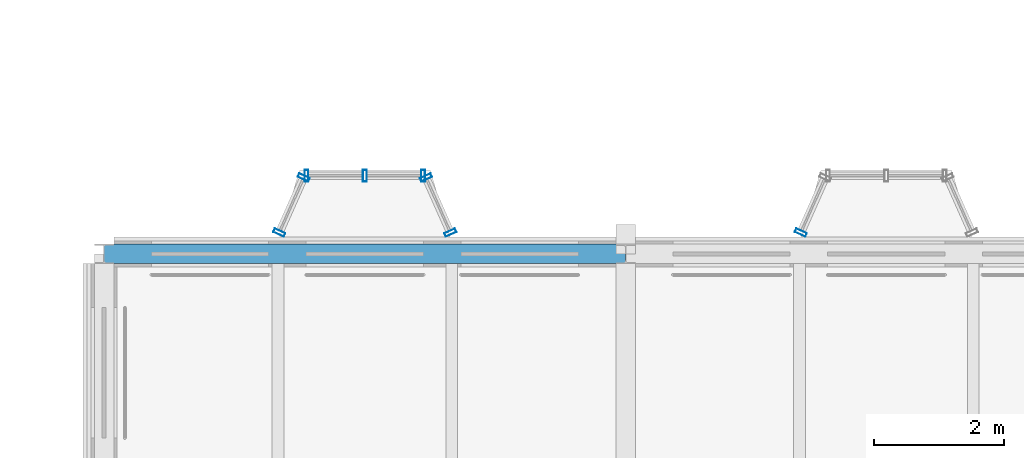
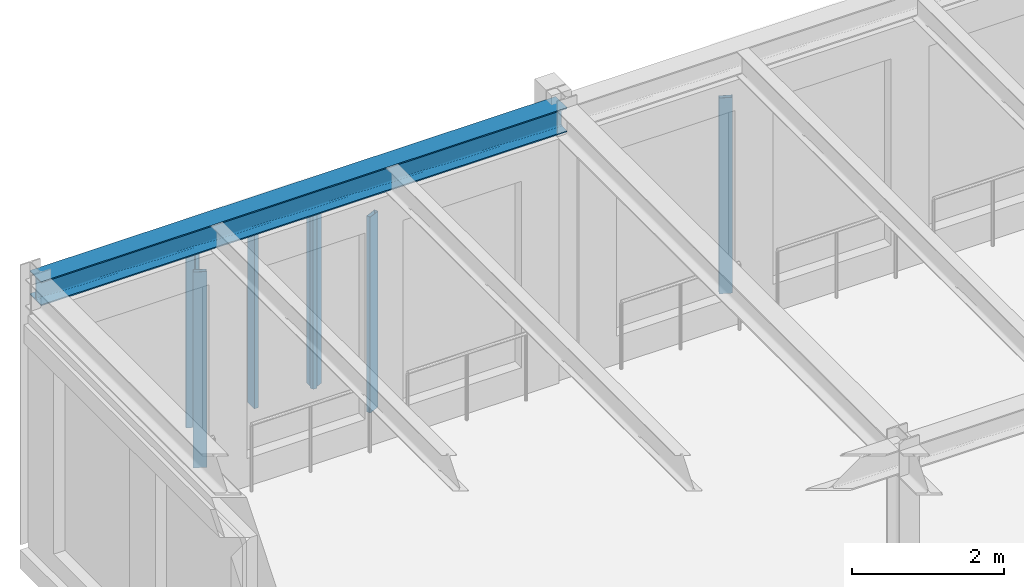
# One storey, part 53 of 153: 8 members, 1 beam, 4 elements without a shape of their own.
"""IFC4 building model written with IfcOpenShell, lengths in metres."""

import ifcopenshell
import ifcopenshell.guid

model = None  # the IFC model being written
_history = None  # IfcOwnerHistory: only IFC2X3 demands one
_inside = {}  # id of a spatial element -> (the spatial element, [elements in it])
_under = {}  # id of a project, library or spatial element -> (it, [spatial elements below it])
_declared = {}  # id of a project -> (the project, [libraries it declares])
_typed = {}  # id of a type object -> (the type object, [elements of that type])
_made_of = {}  # id of a material, layer set ... -> (it, [elements and type objects made of it])


def new_model(schema):
    """Start an empty IFC model of exactly this schema.

    Asked for "IFC4X3", IfcOpenShell would pick the latest addendum, in which some entities
    have other attributes; the version numbers below select the first issue.
    IFC2X3 requires an IfcOwnerHistory on every rooted entity: one is made here for all.
    """
    global model, _history
    if schema == "IFC4X3":
        model = ifcopenshell.file(schema_version=(4, 3, 0, 0))
    else:
        model = ifcopenshell.file(schema=schema)
    _inside.clear()
    _under.clear()
    _declared.clear()
    _typed.clear()
    _made_of.clear()
    _history = None
    if model.schema == "IFC2X3":
        org = make("IfcOrganization", Name="unknown")
        user = make(
            "IfcPersonAndOrganization",
            ThePerson=make("IfcPerson", FamilyName="unknown"),
            TheOrganization=org,
        )
        app = make(
            "IfcApplication",
            ApplicationDeveloper=org,
            Version="unknown",
            ApplicationFullName="unknown",
            ApplicationIdentifier="unknown",
        )
        _history = make(
            "IfcOwnerHistory",
            OwningUser=user,
            OwningApplication=app,
            ChangeAction="ADDED",
            CreationDate=0,
        )
    return model


def make(cls, **values):
    """One entity of the class cls with the attributes given. An attribute that is None is left unset."""
    return model.create_entity(
        cls, **{name: value for name, value in values.items() if value is not None}
    )


def rooted(cls, **values):
    """An entity with a GlobalId (a new one), such as an element, a storey or a relation."""
    return make(cls, GlobalId=ifcopenshell.guid.new(), OwnerHistory=_history, **values)


def si_unit(unit_type, name, prefix=None):
    """IfcSIUnit, for example si_unit("LENGTHUNIT", "METRE", prefix="MILLI")."""
    return make("IfcSIUnit", UnitType=unit_type, Prefix=prefix, Name=name)


def assignment(units):
    """IfcUnitAssignment: the units of a project."""
    return None if units is None else make("IfcUnitAssignment", Units=units)


def point(xyz):
    """IfcCartesianPoint."""
    return None if xyz is None else make("IfcCartesianPoint", Coordinates=xyz)


def direction(xyz):
    """IfcDirection."""
    return None if xyz is None else make("IfcDirection", DirectionRatios=xyz)


def frame(location, z_axis=None, x_axis=None):
    """IfcAxis2Placement3D, a coordinate frame: its origin and axes. An axis left out is left unset."""
    return make(
        "IfcAxis2Placement3D",
        Location=point(location),
        Axis=direction(z_axis),
        RefDirection=direction(x_axis),
    )


def frame_2d(location, x_axis=None):
    """IfcAxis2Placement2D, a coordinate frame in the plane: its origin and x axis."""
    return make(
        "IfcAxis2Placement2D", Location=point(location), RefDirection=direction(x_axis)
    )


def origin():
    """The frame at (0, 0, 0) with its axes left unset."""
    return frame((0.0, 0.0, 0.0))


def origin_2d():
    """The frame at (0, 0) in the plane with its x axis left unset."""
    return frame_2d((0.0, 0.0))


def place(relative_to, where):
    """IfcLocalPlacement: puts the frame where relative to a parent placement (None: the world)."""
    return make(
        "IfcLocalPlacement", PlacementRelTo=relative_to, RelativePlacement=where
    )


def context(
    kind, dimensions, precision=None, world=None, true_north=None, identifier=None
):
    """IfcGeometricRepresentationContext, for example the 3D "Model" context."""
    return make(
        "IfcGeometricRepresentationContext",
        ContextIdentifier=identifier,
        ContextType=kind,
        CoordinateSpaceDimension=dimensions,
        Precision=precision,
        WorldCoordinateSystem=world,
        TrueNorth=true_north,
    )


def subcontext(parent, identifier, kind, view, scale=None):
    """IfcGeometricRepresentationSubContext, for example "Body" below "Model"."""
    return make(
        "IfcGeometricRepresentationSubContext",
        ContextIdentifier=identifier,
        ContextType=kind,
        ParentContext=parent,
        TargetScale=scale,
        TargetView=view,
    )


def project(units=None, contexts=None):
    """IfcProject with its units and contexts."""
    return rooted(
        "IfcProject",
        Name="project",
        RepresentationContexts=contexts,
        UnitsInContext=assignment(units),
    )


def spatial(cls, under=None, at=None, **own):
    """A site, building, storey or space (cls), placed at a placement, below another one or the project."""
    s = rooted(cls, ObjectPlacement=at, **own)
    if under is not None:
        _under.setdefault(under.id(), (under, []))[1].append(s)
    return s


def profile(cls, at=None, kind="AREA", **sizes):
    """A parametric profile (cls). Its sizes go by their IFC names, for example OverallWidth=200.0."""
    return make(cls, ProfileType=kind, Position=at, **sizes)


def hollow_rectangle(**sizes):
    """IfcRectangleHollowProfileDef."""
    return profile("IfcRectangleHollowProfileDef", **sizes)


def i_section(**sizes):
    """IfcIShapeProfileDef."""
    return profile("IfcIShapeProfileDef", **sizes)


def extrude(swept, where, along, depth):
    """IfcExtrudedAreaSolid: the profile swept, set in the frame where, extruded along a direction by depth."""
    return make(
        "IfcExtrudedAreaSolid",
        SweptArea=swept,
        Position=where,
        ExtrudedDirection=direction(along),
        Depth=depth,
    )


def shape(context_of_items, identifier, shape_type, items):
    """IfcShapeRepresentation: the items that make up one representation, for example the "Body"."""
    return make(
        "IfcShapeRepresentation",
        ContextOfItems=context_of_items,
        RepresentationIdentifier=identifier,
        RepresentationType=shape_type,
        Items=items,
    )


def material(Name=None, Category=None):
    """IfcMaterial."""
    return make("IfcMaterial", Name=Name, Category=Category)


def material_profile(
    of_material, cross_section, Name=None, Category=None, Priority=None
):
    """IfcMaterialProfile: a cross section and its material."""
    return make(
        "IfcMaterialProfile",
        Name=Name,
        Material=of_material,
        Profile=cross_section,
        Priority=Priority,
        Category=Category,
    )


def profile_set(profiles, Name=None, composite=None):
    """IfcMaterialProfileSet."""
    return make(
        "IfcMaterialProfileSet",
        Name=Name,
        MaterialProfiles=profiles,
        CompositeProfile=composite,
    )


def made_of(thing, what):
    """Note that an element or type object is made of a material, layer set ...; save() writes the relation."""
    if what is not None:
        _made_of.setdefault(what.id(), (what, []))[1].append(thing)
    return thing


def type_object(cls, material=None, **own):
    """A type object (cls), such as IfcWallType, which elements share."""
    return made_of(rooted(cls, **own), material)


def element(
    cls,
    number,
    at=None,
    inside=None,
    cuts=None,
    type_object=None,
    material=None,
    context=None,
    identifier="Body",
    shape_type=None,
    held_by="IfcProductDefinitionShape",
    body=None,
    shapes=None,
    **own,
):
    """One element of the class cls, such as IfcWall. Its Tag is "e" and its number.

    at: its placement. inside: the storey or other place that contains it. cuts: it is an
    opening in that element (IfcRelVoidsElement). A single representation is given by context,
    identifier, shape_type and body (its items); several are given by shapes. held_by: the class
    of the entity that holds the representations. save() writes the other relations.
    """
    e = rooted(cls, Tag="e%d" % number, ObjectPlacement=at, **own)
    if body is not None:
        shapes = [shape(context, identifier, shape_type, body)]
    if shapes is not None:
        e.Representation = make(held_by, Representations=shapes)
    if inside is not None:
        _inside.setdefault(inside.id(), (inside, []))[1].append(e)
    if cuts is not None:
        rooted(
            "IfcRelVoidsElement", RelatingBuildingElement=cuts, RelatedOpeningElement=e
        )
    if type_object is not None:
        _typed.setdefault(type_object.id(), (type_object, []))[1].append(e)
    return made_of(e, material)


def aggregate(whole, parts):
    """IfcRelAggregates: a whole, such as a stair, and the parts it consists of."""
    return rooted("IfcRelAggregates", RelatingObject=whole, RelatedObjects=parts)


def save(model, path):
    """Write the relations noted so far, then the file.

    IfcRelAggregates (storeys below a building ...), IfcRelContainedInSpatialStructure (elements
    in a storey), IfcRelDefinesByType, IfcRelAssociatesMaterial and IfcRelDeclares: one each for
    every whole, place, type object, material and project.
    """
    for whole, parts in _under.values():
        aggregate(whole, parts)
    for where, things in _inside.values():
        rooted(
            "IfcRelContainedInSpatialStructure",
            RelatedElements=things,
            RelatingStructure=where,
        )
    for kind, things in _typed.values():
        rooted("IfcRelDefinesByType", RelatedObjects=things, RelatingType=kind)
    for what, things in _made_of.values():
        rooted("IfcRelAssociatesMaterial", RelatedObjects=things, RelatingMaterial=what)
    for by, libraries in _declared.values():
        rooted("IfcRelDeclares", RelatingContext=by, RelatedDefinitions=libraries)
    model.write(path)


model = new_model("IFC4")

# Units and contexts
model_context = context("Model", 3, precision=1e-05, world=origin(), true_north=direction((0.0, 1.0)))
body_context = subcontext(model_context, "Body", "Model", "MODEL_VIEW")
ifc_project = project(units=[si_unit("LENGTHUNIT", "METRE"), si_unit("AREAUNIT", "SQUARE_METRE"), si_unit("VOLUMEUNIT", "CUBIC_METRE"), si_unit("PLANEANGLEUNIT", "RADIAN"), si_unit("MASSUNIT", "GRAM", prefix="KILO")], contexts=[model_context])

# Site, building, storey
site_placement = place(None, origin())
site = spatial("IfcSite", under=ifc_project, at=site_placement, CompositionType="ELEMENT")
building_placement = place(site_placement, origin())
building = spatial("IfcBuilding", under=site, at=building_placement, Name="Kallimachos Central Library", CompositionType="ELEMENT")
storey_placement = place(building_placement, frame((0.0, 0.0, 5.39990234375)))
storey = spatial("IfcBuildingStorey", under=building, at=storey_placement, Name="L01", CompositionType="ELEMENT", Elevation=5.39990234375)

# Curtain wall, members
ifc_material_1 = material(Name="Laminated glass in anodised aluminium", Category="aluminium")
curtain_wall_type = type_object("IfcCurtainWallType", Name="Foyer curtain wall", PredefinedType="NOTDEFINED", material=ifc_material_1)
curtain_wall_1_placement = place(storey_placement, origin())
curtain_wall_1 = element("IfcCurtainWall", 1, at=curtain_wall_1_placement, inside=storey, type_object=curtain_wall_type, Name="Tribune bay return west", PredefinedType="NOTDEFINED")
ifc_material_2 = material(Name="Anodised aluminium", Category="aluminium")
ifc_material_profile_1 = material_profile(ifc_material_2, hollow_rectangle(XDim=0.06005859375, YDim=0.179931640625, WallThickness=0.00390625, at=origin_2d()), Name="ALU MULLION 60x180")
ifc_profile_set_1 = profile_set([ifc_material_profile_1], Name="Anodised aluminium")
member_type = type_object("IfcMemberType", Name="ALU MULLION 60x180 mullion", PredefinedType="MULLION", material=ifc_profile_set_1)
member_1_placement = place(storey_placement, frame((8.687255859375, 114.327392578125, 0.150146484375), z_axis=(0.0, 0.0, 1.0), x_axis=(0.40613846606, 0.913811548617, 0.0)))
member_1 = element("IfcMember", 2, at=member_1_placement, type_object=member_type, Name="CW mullion 1", PredefinedType="MULLION", context=body_context, shape_type="SweptSolid", body=[
    extrude(hollow_rectangle(XDim=0.06005859375, YDim=0.179931640625, WallThickness=0.00390625, at=origin_2d()), origin(), (0.0, 0.0, 1.0), 3.14990234375),
])
member_2_placement = place(storey_placement, frame((9.062744140625, 115.172607421875, 0.150146484375), z_axis=(0.0, 0.0, 1.0), x_axis=(0.40613846606, 0.913811548617, 0.0)))
member_2 = element("IfcMember", 3, at=member_2_placement, type_object=member_type, Name="CW mullion 2", PredefinedType="MULLION", context=body_context, shape_type="SweptSolid", body=[
    extrude(hollow_rectangle(XDim=0.06005859375, YDim=0.179931640625, WallThickness=0.00390625, at=origin_2d()), origin(), (0.0, 0.0, 1.0), 3.14990234375),
])
aggregate(curtain_wall_1, [member_1, member_2])

curtain_wall_2_placement = place(storey_placement, origin())
curtain_wall_2 = element("IfcCurtainWall", 4, at=curtain_wall_2_placement, inside=storey, type_object=curtain_wall_type, Name="Tribune bay front", PredefinedType="NOTDEFINED")
member_3_placement = place(storey_placement, frame((9.10498046875, 115.199951171875, 0.150146484375), z_axis=(0.0, 0.0, 1.0), x_axis=(1.0, 0.0, 0.0)))
member_3 = element("IfcMember", 5, at=member_3_placement, type_object=member_type, Name="CW mullion 1", PredefinedType="MULLION", context=body_context, shape_type="SweptSolid", body=[
    extrude(hollow_rectangle(XDim=0.06005859375, YDim=0.179931640625, WallThickness=0.00390625, at=origin_2d()), origin(), (0.0, 0.0, 1.0), 3.14990234375),
])
member_4_placement = place(storey_placement, frame((10.0, 115.199951171875, 0.150146484375), z_axis=(0.0, 0.0, 1.0), x_axis=(1.0, 0.0, 0.0)))
member_4 = element("IfcMember", 6, at=member_4_placement, type_object=member_type, Name="CW mullion 2", PredefinedType="MULLION", context=body_context, shape_type="SweptSolid", body=[
    extrude(hollow_rectangle(XDim=0.06005859375, YDim=0.179931640625, WallThickness=0.00390625, at=origin_2d()), origin(), (0.0, 0.0, 1.0), 3.14990234375),
])
member_5_placement = place(storey_placement, frame((10.89501953125, 115.199951171875, 0.150146484375), z_axis=(0.0, 0.0, 1.0), x_axis=(1.0, 0.0, 0.0)))
member_5 = element("IfcMember", 7, at=member_5_placement, type_object=member_type, Name="CW mullion 3", PredefinedType="MULLION", context=body_context, shape_type="SweptSolid", body=[
    extrude(hollow_rectangle(XDim=0.06005859375, YDim=0.179931640625, WallThickness=0.00390625, at=origin_2d()), origin(), (0.0, 0.0, 1.0), 3.14990234375),
])
aggregate(curtain_wall_2, [member_3, member_4, member_5])

curtain_wall_3_placement = place(storey_placement, origin())
curtain_wall_3 = element("IfcCurtainWall", 8, at=curtain_wall_3_placement, inside=storey, type_object=curtain_wall_type, Name="Tribune bay return east", PredefinedType="NOTDEFINED")
member_6_placement = place(storey_placement, frame((10.937255859375, 115.172607421875, 0.150146484375), z_axis=(0.0, 0.0, 1.0), x_axis=(0.40613846606, -0.913811548617, 0.0)))
member_6 = element("IfcMember", 9, at=member_6_placement, type_object=member_type, Name="CW mullion 1", PredefinedType="MULLION", context=body_context, shape_type="SweptSolid", body=[
    extrude(hollow_rectangle(XDim=0.06005859375, YDim=0.179931640625, WallThickness=0.00390625, at=origin_2d()), origin(), (0.0, 0.0, 1.0), 3.14990234375),
])
member_7_placement = place(storey_placement, frame((11.312744140625, 114.327392578125, 0.150146484375), z_axis=(0.0, 0.0, 1.0), x_axis=(0.40613846606, -0.913811548617, 0.0)))
member_7 = element("IfcMember", 10, at=member_7_placement, type_object=member_type, Name="CW mullion 2", PredefinedType="MULLION", context=body_context, shape_type="SweptSolid", body=[
    extrude(hollow_rectangle(XDim=0.06005859375, YDim=0.179931640625, WallThickness=0.00390625, at=origin_2d()), origin(), (0.0, 0.0, 1.0), 3.14990234375),
])
aggregate(curtain_wall_3, [member_6, member_7])

# Curtain wall, member
curtain_wall_4_placement = place(storey_placement, origin())
curtain_wall_4 = element("IfcCurtainWall", 11, at=curtain_wall_4_placement, inside=storey, type_object=curtain_wall_type, Name="Tribune bay return west", PredefinedType="NOTDEFINED")
member_8_placement = place(storey_placement, frame((16.687255859375, 114.327392578125, 0.150146484375), z_axis=(0.0, 0.0, 1.0), x_axis=(0.40613846606, 0.913811548617, 0.0)))
member_8 = element("IfcMember", 12, at=member_8_placement, type_object=member_type, Name="CW mullion 1", PredefinedType="MULLION", context=body_context, shape_type="SweptSolid", body=[
    extrude(hollow_rectangle(XDim=0.06005859375, YDim=0.179931640625, WallThickness=0.00390625, at=origin_2d()), origin(), (0.0, 0.0, 1.0), 3.14990234375),
])
aggregate(curtain_wall_4, [member_8])

# Beam
ifc_material_3 = material(Name="Steel S355J2", Category="steel")
ifc_material_profile_2 = material_profile(ifc_material_3, i_section(OverallWidth=0.300048828125, OverallDepth=0.389892578125, WebThickness=0.010986328125, FlangeThickness=0.01904296875, FilletRadius=0.027099609375, at=origin_2d()), Name="HEA 400")
ifc_profile_set_2 = profile_set([ifc_material_profile_2], Name="Steel S355J2")
beam_type = type_object("IfcBeamType", Name="HEA 400 beam", PredefinedType="BEAM", material=ifc_profile_set_2)
beam_placement = place(storey_placement, frame((6.0, 114.0, 4.155029296875), z_axis=(1.0, 0.0, 0.0), x_axis=(0.0, 1.0, 0.0)))
element("IfcBeam", 13, at=beam_placement, inside=storey, type_object=beam_type, Name="V2-BEM-L01-028", PredefinedType="BEAM", context=body_context, shape_type="SweptSolid", body=[
    extrude(i_section(OverallWidth=0.300048828125, OverallDepth=0.389892578125, WebThickness=0.010986328125, FlangeThickness=0.01904296875, FilletRadius=0.027099609375, at=origin_2d()), origin(), (0.0, 0.0, 1.0), 8.0),
])

save(model, "model.ifc")
